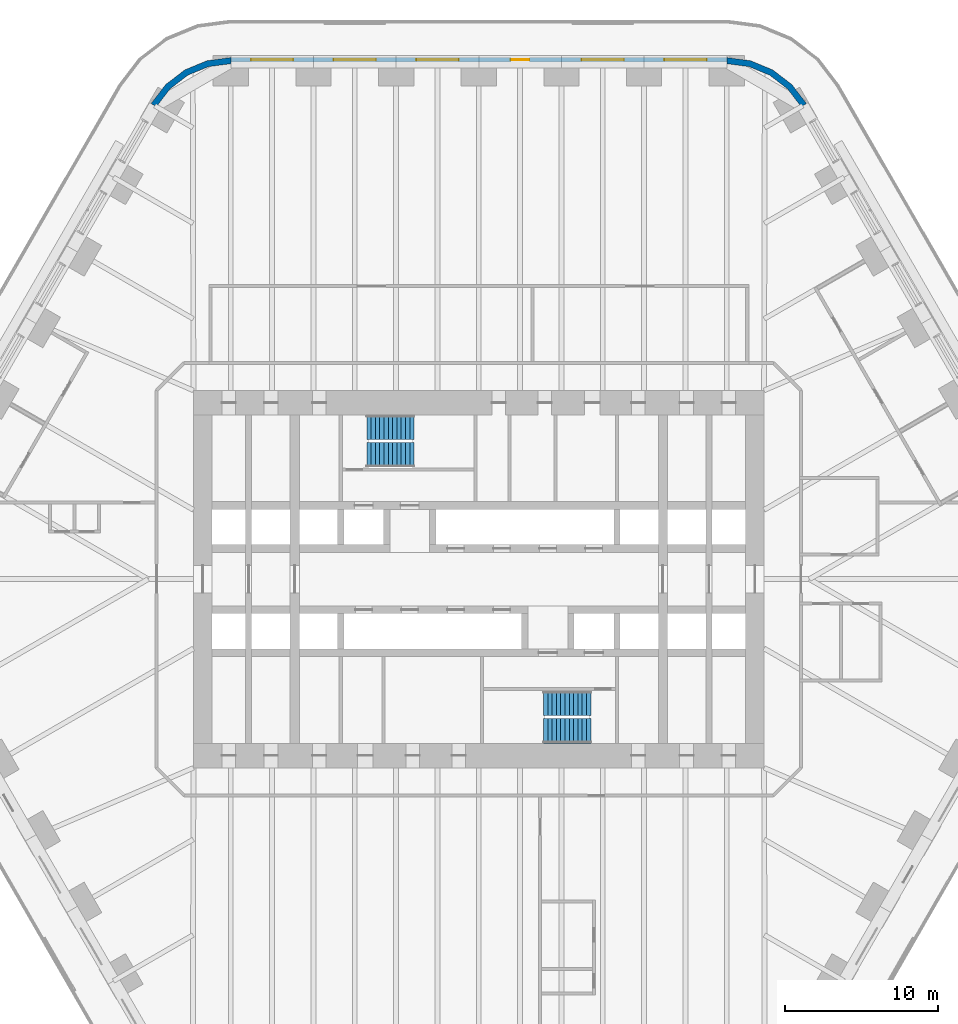
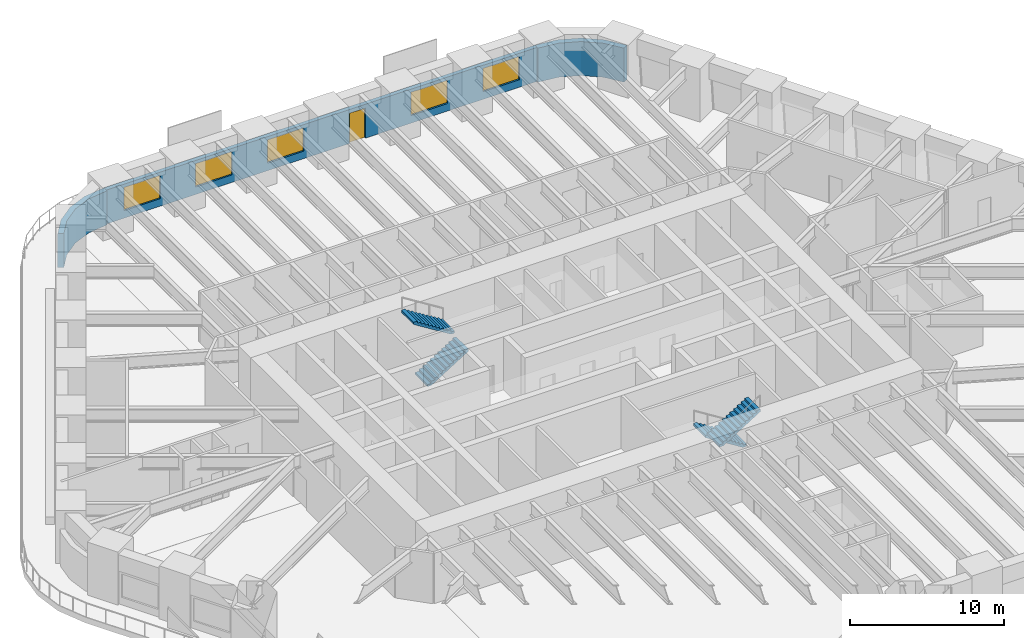
# One storey, part 20 of 23: 5 windows, 4 stair flights, 3 walls, 1 door, 6 openings, 2 elements without a shape of their own.
"""IFC4 building model written with IfcOpenShell, lengths in metres."""

from ifc_helpers import new_model, si_unit, direction, frame, frame_2d, origin, place, context, subcontext, project, spatial, polyline, rectangle, outline, extrude, material, layer, layer_set, type_object, element, fill, aggregate, save


model = new_model("IFC4")

# Units and contexts
model_context = context("Model", 3, precision=1e-05, world=origin(), true_north=direction((0.0, 1.0)))
body_context = subcontext(model_context, "Body", "Model", "MODEL_VIEW")
ifc_project = project(units=[si_unit("LENGTHUNIT", "METRE"), si_unit("AREAUNIT", "SQUARE_METRE"), si_unit("VOLUMEUNIT", "CUBIC_METRE"), si_unit("PLANEANGLEUNIT", "RADIAN"), si_unit("MASSUNIT", "GRAM", prefix="KILO")], contexts=[model_context])

# Site, building, storey
site_placement = place(None, origin())
site = spatial("IfcSite", under=ifc_project, at=site_placement, CompositionType="ELEMENT")
building_placement = place(site_placement, origin())
building = spatial("IfcBuilding", under=site, at=building_placement, Name="Tarfa Lantern Tower", CompositionType="ELEMENT")
storey_placement = place(building_placement, frame((0.0, 0.0, 40.300048828125)))
storey = spatial("IfcBuildingStorey", under=building, at=storey_placement, Name="L08", CompositionType="ELEMENT", Elevation=40.300048828125)

# Wall, openings, door, windows
ifc_material_1 = material(Name="Limestone cladding on blockwork", Category="masonry")
ifc_layer_1 = layer(ifc_material_1, 0.300048828125)
ifc_layer_set_1 = layer_set([ifc_layer_1], Name="EW1 STONE-CLAD WALL 300")
wall_type_1 = type_object("IfcWallType", Name="EW1 STONE-CLAD WALL 300", PredefinedType="SOLIDWALL", material=ifc_layer_set_1)
wall_1_placement = place(storey_placement, frame((16.165771484375, 33.85009765625, 0.0), z_axis=(0.0, 0.0, 1.0), x_axis=(-1.0, 0.0, 0.0)))
wall_1 = element("IfcWall", 1, at=wall_1_placement, inside=storey, type_object=wall_type_1, Name="Stone wall N", PredefinedType="SOLIDWALL", context=body_context, shape_type="SweptSolid", body=[
    extrude(rectangle(XDim=32.33154296875, YDim=0.300048828125, at=frame_2d((16.165771484375, 0.0))), origin(), (0.0, 0.0, 1.0), 2.699951171875),
])
opening_1_placement = place(wall_1_placement, frame((1.3193359375, 0.0, 0.60009765625)))
opening_1 = element("IfcOpeningElement", 2, at=opening_1_placement, cuts=wall_1, Name="Opening W2", PredefinedType="OPENING", context=body_context, shape_type="SweptSolid", body=[
    extrude(rectangle(XDim=2.75, YDim=1.85009765625, at=frame_2d((1.375, 0.925048828125))), frame((0.0, 0.159912109375, 0.0), z_axis=(0.0, -1.0, 0.0), x_axis=(1.0, 0.0, 0.0)), (0.0, 0.0, 1.0), 0.320068359375),
])
opening_2_placement = place(wall_1_placement, frame((6.7080078125, 0.0, 0.60009765625)))
opening_2 = element("IfcOpeningElement", 3, at=opening_2_placement, cuts=wall_1, Name="Opening W2", PredefinedType="OPENING", context=body_context, shape_type="SweptSolid", body=[
    extrude(rectangle(XDim=2.75, YDim=1.85009765625, at=frame_2d((1.375, 0.925048828125))), frame((0.0, 0.159912109375, 0.0), z_axis=(0.0, -1.0, 0.0), x_axis=(1.0, 0.0, 0.0)), (0.0, 0.0, 1.0), 0.320068359375),
])
opening_3_placement = place(wall_1_placement, frame((12.87158203125, 0.0, 0.0)))
opening_3 = element("IfcOpeningElement", 4, at=opening_3_placement, cuts=wall_1, Name="Opening D49", PredefinedType="OPENING", context=body_context, shape_type="SweptSolid", body=[
    extrude(rectangle(XDim=1.199951171875, YDim=2.39990234375, at=frame_2d((0.60009765625, 1.199951171875))), frame((0.0, 0.159912109375, 0.0), z_axis=(0.0, -1.0, 0.0), x_axis=(1.0, 0.0, 0.0)), (0.0, 0.0, 1.0), 0.320068359375),
])
opening_4_placement = place(wall_1_placement, frame((17.485107421875, 0.0, 0.60009765625)))
opening_4 = element("IfcOpeningElement", 5, at=opening_4_placement, cuts=wall_1, Name="Opening W2", PredefinedType="OPENING", context=body_context, shape_type="SweptSolid", body=[
    extrude(rectangle(XDim=2.75, YDim=1.85009765625, at=frame_2d((1.375, 0.925048828125))), frame((0.0, 0.159912109375, 0.0), z_axis=(0.0, -1.0, 0.0), x_axis=(1.0, 0.0, 0.0)), (0.0, 0.0, 1.0), 0.320068359375),
])
opening_5_placement = place(wall_1_placement, frame((22.873779296875, 0.0, 0.60009765625)))
opening_5 = element("IfcOpeningElement", 6, at=opening_5_placement, cuts=wall_1, Name="Opening W2", PredefinedType="OPENING", context=body_context, shape_type="SweptSolid", body=[
    extrude(rectangle(XDim=2.75, YDim=1.85009765625, at=frame_2d((1.375, 0.925048828125))), frame((0.0, 0.159912109375, 0.0), z_axis=(0.0, -1.0, 0.0), x_axis=(1.0, 0.0, 0.0)), (0.0, 0.0, 1.0), 0.320068359375),
])
opening_6_placement = place(wall_1_placement, frame((28.26220703125, 0.0, 0.60009765625)))
opening_6 = element("IfcOpeningElement", 7, at=opening_6_placement, cuts=wall_1, Name="Opening W2", PredefinedType="OPENING", context=body_context, shape_type="SweptSolid", body=[
    extrude(rectangle(XDim=2.75, YDim=1.85009765625, at=frame_2d((1.375, 0.925048828125))), frame((0.0, 0.159912109375, 0.0), z_axis=(0.0, -1.0, 0.0), x_axis=(1.0, 0.0, 0.0)), (0.0, 0.0, 1.0), 0.320068359375),
])
ifc_material_2 = material(Name="Aluminium framed glazed door", Category="aluminium")
door_type = type_object("IfcDoorType", Name="BE3 BALCONY DOOR 1200x2400", OperationType="SINGLE_SWING_RIGHT", PredefinedType="DOOR", material=ifc_material_2)
door_placement = place(opening_3_placement, origin())
door = element("IfcDoor", 8, at=door_placement, inside=storey, type_object=door_type, Name="Balcony door N", OperationType="SINGLE_SWING_RIGHT", OverallHeight=2.39990234375, OverallWidth=1.199951171875, PredefinedType="DOOR", context=body_context, shape_type="SweptSolid", body=[
    extrude(rectangle(XDim=1.199951171875, YDim=2.39990234375, at=frame_2d((0.60009765625, 1.199951171875))), frame((0.0, 0.02490234375, 0.0), z_axis=(0.0, -1.0, 0.0), x_axis=(1.0, 0.0, 0.0)), (0.0, 0.0, 1.0), 0.050048828125),
])
fill(opening_3, door)
ifc_material_3 = material(Name="Aluminium frame, double glazed", Category="aluminium")
window_type = type_object("IfcWindowType", Name="W2 FULL-HEIGHT GLAZING 2750x1850", PartitioningType="SINGLE_PANEL", PredefinedType="WINDOW", material=ifc_material_3)
window_1_placement = place(opening_1_placement, origin())
window_1 = element("IfcWindow", 9, at=window_1_placement, inside=storey, type_object=window_type, Name="Window N 1", OverallHeight=1.85009765625, OverallWidth=2.75, PartitioningType="SINGLE_PANEL", PredefinedType="WINDOW", context=body_context, shape_type="SweptSolid", body=[
    extrude(rectangle(XDim=2.75, YDim=1.85009765625, at=frame_2d((1.375, 0.925048828125))), frame((0.0, 0.030029296875, 0.0), z_axis=(0.0, -1.0, 0.0), x_axis=(1.0, 0.0, 0.0)), (0.0, 0.0, 1.0), 0.06005859375),
])
fill(opening_1, window_1)
window_2_placement = place(opening_2_placement, origin())
window_2 = element("IfcWindow", 10, at=window_2_placement, inside=storey, type_object=window_type, Name="Window N 2", OverallHeight=1.85009765625, OverallWidth=2.75, PartitioningType="SINGLE_PANEL", PredefinedType="WINDOW", context=body_context, shape_type="SweptSolid", body=[
    extrude(rectangle(XDim=2.75, YDim=1.85009765625, at=frame_2d((1.375, 0.925048828125))), frame((0.0, 0.030029296875, 0.0), z_axis=(0.0, -1.0, 0.0), x_axis=(1.0, 0.0, 0.0)), (0.0, 0.0, 1.0), 0.06005859375),
])
fill(opening_2, window_2)
window_3_placement = place(opening_4_placement, origin())
window_3 = element("IfcWindow", 11, at=window_3_placement, inside=storey, type_object=window_type, Name="Window N 4", OverallHeight=1.85009765625, OverallWidth=2.75, PartitioningType="SINGLE_PANEL", PredefinedType="WINDOW", context=body_context, shape_type="SweptSolid", body=[
    extrude(rectangle(XDim=2.75, YDim=1.85009765625, at=frame_2d((1.375, 0.925048828125))), frame((0.0, 0.030029296875, 0.0), z_axis=(0.0, -1.0, 0.0), x_axis=(1.0, 0.0, 0.0)), (0.0, 0.0, 1.0), 0.06005859375),
])
fill(opening_4, window_3)
window_4_placement = place(opening_5_placement, origin())
window_4 = element("IfcWindow", 12, at=window_4_placement, inside=storey, type_object=window_type, Name="Window N 5", OverallHeight=1.85009765625, OverallWidth=2.75, PartitioningType="SINGLE_PANEL", PredefinedType="WINDOW", context=body_context, shape_type="SweptSolid", body=[
    extrude(rectangle(XDim=2.75, YDim=1.85009765625, at=frame_2d((1.375, 0.925048828125))), frame((0.0, 0.030029296875, 0.0), z_axis=(0.0, -1.0, 0.0), x_axis=(1.0, 0.0, 0.0)), (0.0, 0.0, 1.0), 0.06005859375),
])
fill(opening_5, window_4)
window_5_placement = place(opening_6_placement, origin())
window_5 = element("IfcWindow", 13, at=window_5_placement, inside=storey, type_object=window_type, Name="Window N 6", OverallHeight=1.85009765625, OverallWidth=2.75, PartitioningType="SINGLE_PANEL", PredefinedType="WINDOW", context=body_context, shape_type="SweptSolid", body=[
    extrude(rectangle(XDim=2.75, YDim=1.85009765625, at=frame_2d((1.375, 0.925048828125))), frame((0.0, 0.030029296875, 0.0), z_axis=(0.0, -1.0, 0.0), x_axis=(1.0, 0.0, 0.0)), (0.0, 0.0, 1.0), 0.06005859375),
])
fill(opening_6, window_5)

# Walls
ifc_layer_2 = layer(ifc_material_1, 0.39990234375)
ifc_layer_set_2 = layer_set([ifc_layer_2], Name="EW2 CURVED STONE CORNER 400")
wall_type_2 = type_object("IfcWallType", Name="EW2 CURVED STONE CORNER 400", PredefinedType="SOLIDWALL", material=ifc_layer_set_2)
wall_2_placement = place(storey_placement, origin())
element("IfcWall", 14, at=wall_2_placement, inside=storey, type_object=wall_type_2, Name="Stone corner NE-N", PredefinedType="SOLIDWALL", context=body_context, shape_type="SweptSolid", body=[
    extrude(outline(polyline([(21.362060546875, 31.0), (20.408447265625, 32.24267578125), (19.165771484375, 33.196044921875), (17.71875, 33.795654296875), (16.165771484375, 34.0), (16.165771484375, 33.60009765625), (17.615234375, 33.4091796875), (18.9658203125, 32.849853515625), (20.12548828125, 31.959716796875), (21.015625, 30.800048828125), (21.362060546875, 31.0)])), origin(), (0.0, 0.0, 1.0), 2.699951171875),
])
wall_3_placement = place(storey_placement, origin())
element("IfcWall", 15, at=wall_3_placement, inside=storey, type_object=wall_type_2, Name="Stone corner N-NW", PredefinedType="SOLIDWALL", context=body_context, shape_type="SweptSolid", body=[
    extrude(outline(polyline([(-16.165771484375, 34.0), (-17.71875, 33.795654296875), (-19.165771484375, 33.196044921875), (-20.408447265625, 32.24267578125), (-21.362060546875, 31.0), (-21.015625, 30.800048828125), (-20.12548828125, 31.959716796875), (-18.9658203125, 32.849853515625), (-17.615234375, 33.4091796875), (-16.165771484375, 33.60009765625), (-16.165771484375, 34.0)])), origin(), (0.0, 0.0, 1.0), 2.699951171875),
])

# Stair, stair flights
ifc_material_4 = material(Name="Concrete C40/50", Category="concrete")
stair_type = type_object("IfcStairType", Name="ST-T10 HALF-TURN STAIR 4200 RISE", PredefinedType="HALF_TURN_STAIR", material=ifc_material_4)
stair_1_placement = place(storey_placement, origin())
stair_1 = element("IfcStair", 16, at=stair_1_placement, inside=storey, type_object=stair_type, Name="Stair ST1", PredefinedType="HALF_TURN_STAIR")
stair_flight_type = type_object("IfcStairFlightType", Name="SF1 STAIR FLIGHT", PredefinedType="STRAIGHT", material=ifc_material_4)
stair_flight_1_placement = place(storey_placement, frame((-7.300048828125, 8.10009765625, 0.0), z_axis=(0.0, 0.0, 1.0), x_axis=(1.0, 0.0, 0.0)))
stair_flight_1 = element("IfcStairFlight", 17, at=stair_flight_1_placement, type_object=stair_flight_type, Name="ST1 flight 1", NumberOfRisers=12, NumberOfTreads=11, PredefinedType="STRAIGHT", RiserHeight=0.175, TreadLength=0.28, context=body_context, shape_type="SweptSolid", body=[
    extrude(outline(polyline([(0.0, 0.0), (0.0, 0.175048828125), (0.280029296875, 0.175048828125), (0.280029296875, 0.35009765625), (0.56005859375, 0.35009765625), (0.56005859375, 0.52490234375), (0.840087890625, 0.52490234375), (0.840087890625, 0.699951171875), (1.1201171875, 0.699951171875), (1.1201171875, 0.875), (1.39990234375, 0.875), (1.39990234375, 1.050048828125), (1.679931640625, 1.050048828125), (1.679931640625, 1.22509765625), (1.9599609375, 1.22509765625), (1.9599609375, 1.39990234375), (2.239990234375, 1.39990234375), (2.239990234375, 1.574951171875), (2.52001953125, 1.574951171875), (2.52001953125, 1.75), (2.800048828125, 1.75), (2.800048828125, 1.925048828125), (3.080078125, 1.925048828125), (3.080078125, 2.10009765625), (3.080078125, 1.748291015625), (0.28271484375, 0.0), (0.0, 0.0)])), frame((0.0, 0.800048828125, 0.0), z_axis=(0.0, -1.0, 0.0), x_axis=(1.0, 0.0, 0.0)), (0.0, 0.0, 1.0), 1.60009765625),
])
stair_flight_2_placement = place(storey_placement, frame((-4.219970703125, 9.89990234375, 2.099853515625), z_axis=(0.0, 0.0, 1.0), x_axis=(-1.0, 0.0, 0.0)))
stair_flight_2 = element("IfcStairFlight", 18, at=stair_flight_2_placement, type_object=stair_flight_type, Name="ST1 flight 2", NumberOfRisers=12, NumberOfTreads=11, PredefinedType="STRAIGHT", RiserHeight=0.175, TreadLength=0.28, context=body_context, shape_type="SweptSolid", body=[
    extrude(outline(polyline([(0.0, 0.0), (0.0, 0.175048828125), (0.280029296875, 0.175048828125), (0.280029296875, 0.35009765625), (0.56005859375, 0.35009765625), (0.56005859375, 0.52490234375), (0.840087890625, 0.52490234375), (0.840087890625, 0.699951171875), (1.1201171875, 0.699951171875), (1.1201171875, 0.875), (1.39990234375, 0.875), (1.39990234375, 1.050048828125), (1.679931640625, 1.050048828125), (1.679931640625, 1.22509765625), (1.9599609375, 1.22509765625), (1.9599609375, 1.39990234375), (2.239990234375, 1.39990234375), (2.239990234375, 1.574951171875), (2.52001953125, 1.574951171875), (2.52001953125, 1.75), (2.800048828125, 1.75), (2.800048828125, 1.925048828125), (3.080078125, 1.925048828125), (3.080078125, 2.10009765625), (3.080078125, 1.748291015625), (0.28271484375, 0.0), (0.0, 0.0)])), frame((0.0, 0.800048828125, 0.0), z_axis=(0.0, -1.0, 0.0), x_axis=(1.0, 0.0, 0.0)), (0.0, 0.0, 1.0), 1.60009765625),
])
aggregate(stair_1, [stair_flight_1, stair_flight_2])

stair_2_placement = place(storey_placement, origin())
stair_2 = element("IfcStair", 19, at=stair_2_placement, inside=storey, type_object=stair_type, Name="Stair ST2", PredefinedType="HALF_TURN_STAIR")
stair_flight_3_placement = place(storey_placement, frame((7.300048828125, -8.10009765625, 0.0), z_axis=(0.0, 0.0, 1.0), x_axis=(-1.0, 0.0, 0.0)))
stair_flight_3 = element("IfcStairFlight", 20, at=stair_flight_3_placement, type_object=stair_flight_type, Name="ST2 flight 1", NumberOfRisers=12, NumberOfTreads=11, PredefinedType="STRAIGHT", RiserHeight=0.175, TreadLength=0.28, context=body_context, shape_type="SweptSolid", body=[
    extrude(outline(polyline([(0.0, 0.0), (0.0, 0.175048828125), (0.280029296875, 0.175048828125), (0.280029296875, 0.35009765625), (0.56005859375, 0.35009765625), (0.56005859375, 0.52490234375), (0.840087890625, 0.52490234375), (0.840087890625, 0.699951171875), (1.1201171875, 0.699951171875), (1.1201171875, 0.875), (1.39990234375, 0.875), (1.39990234375, 1.050048828125), (1.679931640625, 1.050048828125), (1.679931640625, 1.22509765625), (1.9599609375, 1.22509765625), (1.9599609375, 1.39990234375), (2.239990234375, 1.39990234375), (2.239990234375, 1.574951171875), (2.52001953125, 1.574951171875), (2.52001953125, 1.75), (2.800048828125, 1.75), (2.800048828125, 1.925048828125), (3.080078125, 1.925048828125), (3.080078125, 2.10009765625), (3.080078125, 1.748291015625), (0.28271484375, 0.0), (0.0, 0.0)])), frame((0.0, 0.800048828125, 0.0), z_axis=(0.0, -1.0, 0.0), x_axis=(1.0, 0.0, 0.0)), (0.0, 0.0, 1.0), 1.60009765625),
])
stair_flight_4_placement = place(storey_placement, frame((4.219970703125, -9.89990234375, 2.099853515625), z_axis=(0.0, 0.0, 1.0), x_axis=(1.0, 0.0, 0.0)))
stair_flight_4 = element("IfcStairFlight", 21, at=stair_flight_4_placement, type_object=stair_flight_type, Name="ST2 flight 2", NumberOfRisers=12, NumberOfTreads=11, PredefinedType="STRAIGHT", RiserHeight=0.175, TreadLength=0.28, context=body_context, shape_type="SweptSolid", body=[
    extrude(outline(polyline([(0.0, 0.0), (0.0, 0.175048828125), (0.280029296875, 0.175048828125), (0.280029296875, 0.35009765625), (0.56005859375, 0.35009765625), (0.56005859375, 0.52490234375), (0.840087890625, 0.52490234375), (0.840087890625, 0.699951171875), (1.1201171875, 0.699951171875), (1.1201171875, 0.875), (1.39990234375, 0.875), (1.39990234375, 1.050048828125), (1.679931640625, 1.050048828125), (1.679931640625, 1.22509765625), (1.9599609375, 1.22509765625), (1.9599609375, 1.39990234375), (2.239990234375, 1.39990234375), (2.239990234375, 1.574951171875), (2.52001953125, 1.574951171875), (2.52001953125, 1.75), (2.800048828125, 1.75), (2.800048828125, 1.925048828125), (3.080078125, 1.925048828125), (3.080078125, 2.10009765625), (3.080078125, 1.748291015625), (0.28271484375, 0.0), (0.0, 0.0)])), frame((0.0, 0.800048828125, 0.0), z_axis=(0.0, -1.0, 0.0), x_axis=(1.0, 0.0, 0.0)), (0.0, 0.0, 1.0), 1.60009765625),
])
aggregate(stair_2, [stair_flight_3, stair_flight_4])

save(model, "model.ifc")
